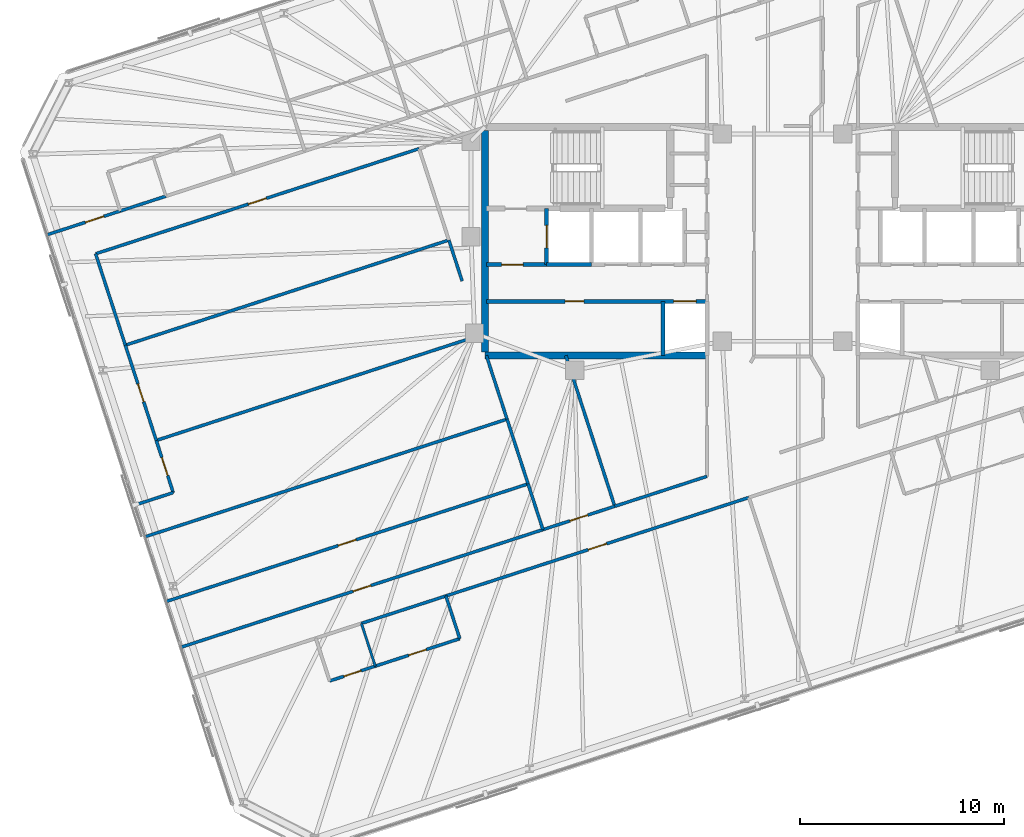
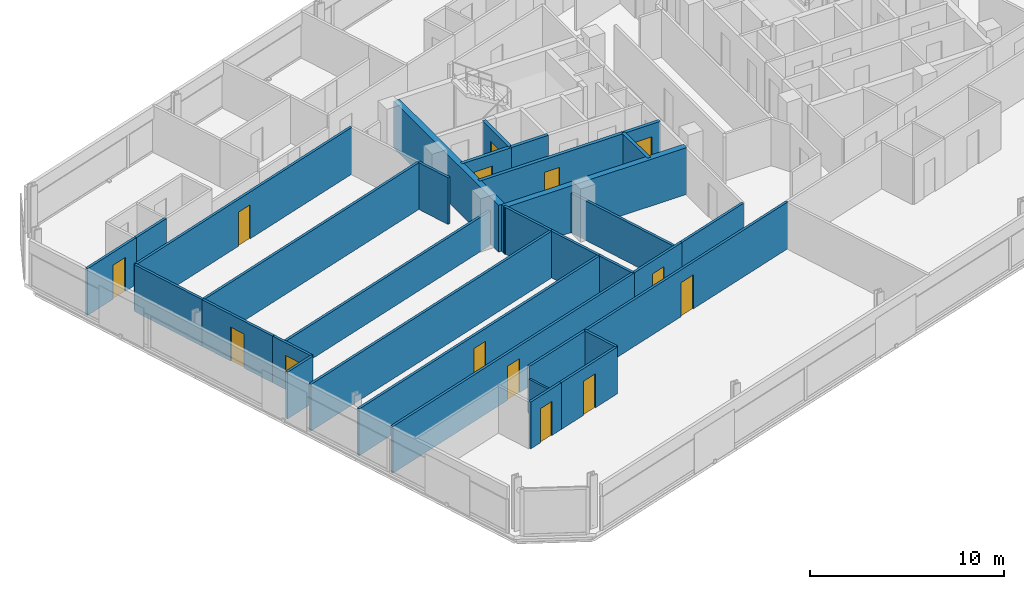
# One storey, part 13 of 19: 32 walls, 14 doors, 14 openings.
"""IFC4 building model written with IfcOpenShell, lengths in metres."""

from ifc_helpers import new_model, si_unit, direction, frame, frame_2d, origin, place, context, subcontext, project, spatial, rectangle, extrude, material, layer, layer_set, type_object, element, fill, save


model = new_model("IFC4")

# Units and contexts
model_context = context("Model", 3, precision=1e-05, world=origin(), true_north=direction((0.0, 1.0)))
body_context = subcontext(model_context, "Body", "Model", "MODEL_VIEW")
ifc_project = project(units=[si_unit("LENGTHUNIT", "METRE"), si_unit("AREAUNIT", "SQUARE_METRE"), si_unit("VOLUMEUNIT", "CUBIC_METRE"), si_unit("PLANEANGLEUNIT", "RADIAN"), si_unit("MASSUNIT", "GRAM", prefix="KILO")], contexts=[model_context])

# Site, building, storey
site_placement = place(None, origin())
site = spatial("IfcSite", under=ifc_project, at=site_placement, CompositionType="ELEMENT")
building_placement = place(site_placement, origin())
building = spatial("IfcBuilding", under=site, at=building_placement, Name="Menara Jurai Vektor", CompositionType="ELEMENT")
storey_placement = place(building_placement, frame((0.0, 0.0, 251.10009765625)))
storey = spatial("IfcBuildingStorey", under=building, at=storey_placement, Name="L67", CompositionType="ELEMENT", Elevation=251.10009765625)

# Wall, opening, door
ifc_material_1 = material(Name="Concrete C40/50", Category="concrete")
ifc_layer_1 = layer(ifc_material_1, 0.25)
ifc_layer_set_1 = layer_set([ifc_layer_1], Name="Concrete C40/50")
wall_type_1 = type_object("IfcWallType", Name="INT-WALL-CORE-250", PredefinedType="STANDARD", material=ifc_layer_set_1)
wall_1_placement = place(storey_placement, frame((-11.550048828125, -1.14990234375, 0.0), z_axis=(0.0, 0.0, 1.0), x_axis=(0.0, 1.0, 0.0)))
wall_1 = element("IfcWall", 1, at=wall_1_placement, inside=storey, type_object=wall_type_1, Name="Interior Wall IW-250 L67", PredefinedType="STANDARD", context=body_context, shape_type="SweptSolid", body=[
    extrude(rectangle(XDim=2.75, YDim=0.199951171875, at=frame_2d((1.375, 0.0))), origin(), (0.0, 0.0, 1.0), 2.949951171875),
])
opening_1_placement = place(wall_1_placement, frame((0.824951171875, 0.0, 0.0)))
opening_1 = element("IfcOpeningElement", 2, at=opening_1_placement, cuts=wall_1, Name="Opening LD-L67-FL1", PredefinedType="OPENING", context=body_context, shape_type="SweptSolid", body=[
    extrude(rectangle(XDim=1.10009765625, YDim=2.14990234375, at=frame_2d((0.550048828125, 1.074951171875))), frame((0.0, 0.10986328125, 0.0), z_axis=(0.0, -1.0, 0.0), x_axis=(1.0, 0.0, 0.0)), (0.0, 0.0, 1.0), 0.219970703125),
])
ifc_material_2 = material(Name="Stainless Steel Sliding Lift Landing Door", Category="steel")
door_type_1 = type_object("IfcDoorType", Name="DR-LIFT-FIRE-1100", OperationType="NOTDEFINED", PredefinedType="DOOR", material=ifc_material_2)
door_1_placement = place(opening_1_placement, origin())
door_1 = element("IfcDoor", 3, at=door_1_placement, inside=storey, type_object=door_type_1, Name="Lift Landing Door FL1 L67", OperationType="SLIDING_TO_RIGHT", OverallHeight=2.14990234375, OverallWidth=1.10009765625, PredefinedType="DOOR", context=body_context, shape_type="SweptSolid", body=[
    extrude(rectangle(XDim=1.10009765625, YDim=2.14990234375, at=frame_2d((0.550048828125, 1.074951171875))), frame((0.0, 0.02490234375, 0.0), z_axis=(0.0, -1.0, 0.0), x_axis=(1.0, 0.0, 0.0)), (0.0, 0.0, 1.0), 0.050048828125),
])
fill(opening_1, door_1)

wall_2_placement = place(storey_placement, frame((-14.5, -1.14990234375, 0.0), z_axis=(0.0, 0.0, 1.0), x_axis=(1.0, 0.0, 0.0)))
wall_2 = element("IfcWall", 4, at=wall_2_placement, inside=storey, type_object=wall_type_1, Name="Interior Wall IW-250 L67", PredefinedType="STANDARD", context=body_context, shape_type="SweptSolid", body=[
    extrude(rectangle(XDim=2.949951171875, YDim=0.199951171875, at=frame_2d((1.47509765625, 0.0))), origin(), (0.0, 0.0, 1.0), 2.949951171875),
])
opening_2_placement = place(wall_2_placement, frame((0.75, 0.0, 0.0)))
opening_2 = element("IfcOpeningElement", 5, at=opening_2_placement, cuts=wall_2, Name="Opening D-L67-FFW", PredefinedType="OPENING", context=body_context, shape_type="SweptSolid", body=[
    extrude(rectangle(XDim=1.050048828125, YDim=2.179931640625, at=frame_2d((0.52490234375, 1.08984375))), frame((0.0, 0.10986328125, 0.0), z_axis=(0.0, -1.0, 0.0), x_axis=(1.0, 0.0, 0.0)), (0.0, 0.0, 1.0), 0.219970703125),
])
ifc_material_3 = material(Name="Fire-Rated Timber Door", Category="wood")
door_type_2 = type_object("IfcDoorType", Name="DR-LOBBY-1050", OperationType="NOTDEFINED", PredefinedType="DOOR", material=ifc_material_3)
door_2_placement = place(opening_2_placement, origin())
door_2 = element("IfcDoor", 6, at=door_2_placement, inside=storey, type_object=door_type_2, Name="Fire Lift Lobby Door W L67", OperationType="SINGLE_SWING_RIGHT", OverallHeight=2.179931640625, OverallWidth=1.050048828125, PredefinedType="DOOR", context=body_context, shape_type="SweptSolid", body=[
    extrude(rectangle(XDim=1.050048828125, YDim=2.179931640625, at=frame_2d((0.52490234375, 1.08984375))), frame((0.0, 0.02490234375, 0.0), z_axis=(0.0, -1.0, 0.0), x_axis=(1.0, 0.0, 0.0)), (0.0, 0.0, 1.0), 0.050048828125),
])
fill(opening_2, door_2)

# Wall
wall_3_placement = place(storey_placement, frame((-11.550048828125, -1.14990234375, 0.0), z_axis=(0.0, 0.0, 1.0), x_axis=(1.0, 0.0, 0.0)))
element("IfcWall", 7, at=wall_3_placement, inside=storey, type_object=wall_type_1, Name="Interior Wall IW-250 L67", PredefinedType="STANDARD", context=body_context, shape_type="SweptSolid", body=[
    extrude(rectangle(XDim=2.199951171875, YDim=0.199951171875, at=frame_2d((1.10009765625, 0.0))), origin(), (0.0, 0.0, 1.0), 2.949951171875),
])

# Wall, opening, door
ifc_material_4 = material(Name="Gypsum Fireboard Partition", Category="gypsum")
ifc_layer_2 = layer(ifc_material_4, 0.14990234375)
ifc_layer_set_2 = layer_set([ifc_layer_2], Name="Gypsum Fireboard Partition")
wall_type_2 = type_object("IfcWallType", Name="INT-WALL-CORR-150", PredefinedType="PARTITIONING", material=ifc_layer_set_2)
wall_4_placement = place(storey_placement, frame((-36.01220703125, 0.314208984375, 0.0), z_axis=(0.0, 0.0, 1.0), x_axis=(0.951071182868, 0.308971851659, 0.0)))
wall_4 = element("IfcWall", 8, at=wall_4_placement, inside=storey, type_object=wall_type_2, Name="Interior Wall IW-150 L67", PredefinedType="PARTITIONING", context=body_context, shape_type="SweptSolid", body=[
    extrude(rectangle(XDim=3.77001953125, YDim=0.14990234375, at=frame_2d((1.885009765625, 0.0))), origin(), (0.0, 0.0, 1.0), 2.949951171875),
])
opening_3_placement = place(wall_4_placement, frame((1.9755859375, 0.0, 0.0)))
opening_3 = element("IfcOpeningElement", 9, at=opening_3_placement, cuts=wall_4, Name="Opening D67-10", PredefinedType="OPENING", context=body_context, shape_type="SweptSolid", body=[
    extrude(rectangle(XDim=0.949951171875, YDim=2.14990234375, at=frame_2d((0.47509765625, 1.074951171875))), frame((0.0, 0.0849609375, 0.0), z_axis=(0.0, -1.0, 0.0), x_axis=(1.0, 0.0, 0.0)), (0.0, 0.0, 1.0), 0.169921875),
])
ifc_material_5 = material(Name="Solid Core Timber Fire Door", Category="wood")
door_type_3 = type_object("IfcDoorType", Name="DR-ENTRY-950", OperationType="NOTDEFINED", PredefinedType="DOOR", material=ifc_material_5)
door_3_placement = place(opening_3_placement, origin())
door_3 = element("IfcDoor", 10, at=door_3_placement, inside=storey, type_object=door_type_3, Name="Interior Door D67-10", OperationType="SINGLE_SWING_RIGHT", OverallHeight=2.14990234375, OverallWidth=0.949951171875, PredefinedType="DOOR", context=body_context, shape_type="SweptSolid", body=[
    extrude(rectangle(XDim=0.949951171875, YDim=2.14990234375, at=frame_2d((0.47509765625, 1.074951171875))), frame((0.0, 0.02490234375, 0.0), z_axis=(0.0, -1.0, 0.0), x_axis=(1.0, 0.0, 0.0)), (0.0, 0.0, 1.0), 0.050048828125),
])
fill(opening_3, door_3)

# Wall
wall_5_placement = place(storey_placement, frame((-32.4267578125, 1.47900390625, 0.0), z_axis=(0.0, 0.0, 1.0), x_axis=(0.951045519245, 0.309050837767, 0.0)))
element("IfcWall", 11, at=wall_5_placement, inside=storey, type_object=wall_type_2, Name="Interior Wall IW-150 L67", PredefinedType="PARTITIONING", context=body_context, shape_type="SweptSolid", body=[
    extrude(rectangle(XDim=2.35009765625, YDim=0.14990234375, at=frame_2d((1.175048828125, 0.0))), origin(), (0.0, 0.0, 1.0), 2.949951171875),
])

# Wall, opening, door
wall_6_placement = place(storey_placement, frame((-16.481689453125, -17.3701171875, 0.0), z_axis=(0.0, 0.0, 1.0), x_axis=(0.9510563751, 0.309017428929, 0.0)))
wall_6 = element("IfcWall", 12, at=wall_6_placement, inside=storey, type_object=wall_type_2, Name="Interior Wall IW-150 L67", PredefinedType="PARTITIONING", context=body_context, shape_type="SweptSolid", body=[
    extrude(rectangle(XDim=15.60205078125, YDim=0.14990234375, at=frame_2d((7.801025390625, 0.0))), origin(), (0.0, 0.0, 1.0), 2.949951171875),
])
opening_4_placement = place(wall_6_placement, frame((7.325927734375, 0.0, 0.0)))
opening_4 = element("IfcOpeningElement", 13, at=opening_4_placement, cuts=wall_6, Name="Opening D67-19", PredefinedType="OPENING", context=body_context, shape_type="SweptSolid", body=[
    extrude(rectangle(XDim=0.949951171875, YDim=2.14990234375, at=frame_2d((0.47509765625, 1.074951171875))), frame((0.0, 0.0849609375, 0.0), z_axis=(0.0, -1.0, 0.0), x_axis=(1.0, 0.0, 0.0)), (0.0, 0.0, 1.0), 0.169921875),
])
door_4_placement = place(opening_4_placement, origin())
door_4 = element("IfcDoor", 14, at=door_4_placement, inside=storey, type_object=door_type_3, Name="Interior Door D67-19", OperationType="SINGLE_SWING_LEFT", OverallHeight=2.14990234375, OverallWidth=0.949951171875, PredefinedType="DOOR", context=body_context, shape_type="SweptSolid", body=[
    extrude(rectangle(XDim=0.949951171875, YDim=2.14990234375, at=frame_2d((0.47509765625, 1.074951171875))), frame((0.0, 0.02490234375, 0.0), z_axis=(0.0, -1.0, 0.0), x_axis=(1.0, 0.0, 0.0)), (0.0, 0.0, 1.0), 0.050048828125),
])
fill(opening_4, door_4)

# Wall
wall_7_placement = place(storey_placement, frame((-20.61865234375, -18.71435546875, 0.0), z_axis=(0.0, 0.0, 1.0), x_axis=(0.951052627573, 0.309028962374, 0.0)))
element("IfcWall", 15, at=wall_7_placement, inside=storey, type_object=wall_type_2, Name="Interior Wall IW-150 L67", PredefinedType="PARTITIONING", context=body_context, shape_type="SweptSolid", body=[
    extrude(rectangle(XDim=4.349853515625, YDim=0.14990234375, at=frame_2d((2.1748046875, 0.0))), origin(), (0.0, 0.0, 1.0), 2.949951171875),
])

# Wall, opening, door
wall_8_placement = place(storey_placement, frame((-29.450439453125, -19.880615234375, 0.0), z_axis=(0.0, 0.0, 1.0), x_axis=(0.95105650271, 0.309017036186, 0.0)))
wall_8 = element("IfcWall", 16, at=wall_8_placement, inside=storey, type_object=wall_type_2, Name="Interior Wall IW-150 L67", PredefinedType="PARTITIONING", context=body_context, shape_type="SweptSolid", body=[
    extrude(rectangle(XDim=18.6318359375, YDim=0.14990234375, at=frame_2d((9.31591796875, 0.0))), origin(), (0.0, 0.0, 1.0), 2.949951171875),
])
opening_5_placement = place(wall_8_placement, frame((8.85595703125, 0.0, 0.0)))
opening_5 = element("IfcOpeningElement", 17, at=opening_5_placement, cuts=wall_8, Name="Opening D67-25", PredefinedType="OPENING", context=body_context, shape_type="SweptSolid", body=[
    extrude(rectangle(XDim=0.919921875, YDim=2.14990234375, at=frame_2d((0.4599609375, 1.074951171875))), frame((0.0, 0.0849609375, 0.0), z_axis=(0.0, -1.0, 0.0), x_axis=(1.0, 0.0, 0.0)), (0.0, 0.0, 1.0), 0.169921875),
])
door_5_placement = place(opening_5_placement, origin())
door_5 = element("IfcDoor", 18, at=door_5_placement, inside=storey, type_object=door_type_3, Name="Interior Door D67-25", OperationType="SINGLE_SWING_LEFT", OverallHeight=2.14990234375, OverallWidth=0.919921875, PredefinedType="DOOR", context=body_context, shape_type="SweptSolid", body=[
    extrude(rectangle(XDim=0.919921875, YDim=2.14990234375, at=frame_2d((0.4599609375, 1.074951171875))), frame((0.0, 0.02490234375, 0.0), z_axis=(0.0, -1.0, 0.0), x_axis=(1.0, 0.0, 0.0)), (0.0, 0.0, 1.0), 0.050048828125),
])
fill(opening_5, door_5)

# Wall
wall_9_placement = place(storey_placement, frame((-31.7119140625, -12.9208984375, 0.0), z_axis=(0.0, 0.0, 1.0), x_axis=(0.951054051148, 0.309024581215, 0.0)))
element("IfcWall", 19, at=wall_9_placement, inside=storey, type_object=wall_type_2, Name="Interior Wall IW-150 L67", PredefinedType="PARTITIONING", context=body_context, shape_type="SweptSolid", body=[
    extrude(rectangle(XDim=1.97509765625, YDim=0.14990234375, at=frame_2d((0.987548828125, 0.0))), origin(), (0.0, 0.0, 1.0), 2.949951171875),
])

# Wall, opening, door
wall_10_placement = place(storey_placement, frame((-29.83349609375, -12.310546875, 0.0), z_axis=(0.0, 0.0, 1.0), x_axis=(-0.309044953986, 0.951047431213, 0.0)))
wall_10 = element("IfcWall", 20, at=wall_10_placement, inside=storey, type_object=wall_type_2, Name="Interior Wall IW-150 L67", PredefinedType="PARTITIONING", context=body_context, shape_type="SweptSolid", body=[
    extrude(rectangle(XDim=2.68505859375, YDim=0.14990234375, at=frame_2d((1.342529296875, 0.0))), origin(), (0.0, 0.0, 1.0), 2.949951171875),
])
opening_6_placement = place(wall_10_placement, frame((0.882568359375, 0.0, 0.0)))
opening_6 = element("IfcOpeningElement", 21, at=opening_6_placement, cuts=wall_10, Name="Opening D67-27", PredefinedType="OPENING", context=body_context, shape_type="SweptSolid", body=[
    extrude(rectangle(XDim=0.919921875, YDim=2.14990234375, at=frame_2d((0.4599609375, 1.074951171875))), frame((0.0, 0.0849609375, 0.0), z_axis=(0.0, -1.0, 0.0), x_axis=(1.0, 0.0, 0.0)), (0.0, 0.0, 1.0), 0.169921875),
])
door_6_placement = place(opening_6_placement, origin())
door_6 = element("IfcDoor", 22, at=door_6_placement, inside=storey, type_object=door_type_3, Name="Interior Door D67-27", OperationType="SINGLE_SWING_LEFT", OverallHeight=2.14990234375, OverallWidth=0.919921875, PredefinedType="DOOR", context=body_context, shape_type="SweptSolid", body=[
    extrude(rectangle(XDim=0.919921875, YDim=2.14990234375, at=frame_2d((0.4599609375, 1.074951171875))), frame((0.0, 0.02490234375, 0.0), z_axis=(0.0, -1.0, 0.0), x_axis=(1.0, 0.0, 0.0)), (0.0, 0.0, 1.0), 0.050048828125),
])
fill(opening_6, door_6)

wall_11_placement = place(storey_placement, frame((-30.663330078125, -9.7568359375, 0.0), z_axis=(0.0, 0.0, 1.0), x_axis=(-0.309019653166, 0.951055652397, 0.0)))
wall_11 = element("IfcWall", 23, at=wall_11_placement, inside=storey, type_object=wall_type_2, Name="Interior Wall IW-150 L67", PredefinedType="PARTITIONING", context=body_context, shape_type="SweptSolid", body=[
    extrude(rectangle(XDim=4.90380859375, YDim=0.14990234375, at=frame_2d((2.451904296875, 0.0))), origin(), (0.0, 0.0, 1.0), 2.949951171875),
])
opening_7_placement = place(wall_11_placement, frame((1.991943359375, 0.0, 0.0)))
opening_7 = element("IfcOpeningElement", 24, at=opening_7_placement, cuts=wall_11, Name="Opening D67-28", PredefinedType="OPENING", context=body_context, shape_type="SweptSolid", body=[
    extrude(rectangle(XDim=0.919921875, YDim=2.14990234375, at=frame_2d((0.4599609375, 1.074951171875))), frame((0.0, 0.0849609375, 0.0), z_axis=(0.0, -1.0, 0.0), x_axis=(1.0, 0.0, 0.0)), (0.0, 0.0, 1.0), 0.169921875),
])
door_7_placement = place(opening_7_placement, origin())
door_7 = element("IfcDoor", 25, at=door_7_placement, inside=storey, type_object=door_type_3, Name="Interior Door D67-28", OperationType="SINGLE_SWING_RIGHT", OverallHeight=2.14990234375, OverallWidth=0.919921875, PredefinedType="DOOR", context=body_context, shape_type="SweptSolid", body=[
    extrude(rectangle(XDim=0.919921875, YDim=2.14990234375, at=frame_2d((0.4599609375, 1.074951171875))), frame((0.0, 0.02490234375, 0.0), z_axis=(0.0, -1.0, 0.0), x_axis=(1.0, 0.0, 0.0)), (0.0, 0.0, 1.0), 0.050048828125),
])
fill(opening_7, door_7)

# Wall
wall_12_placement = place(storey_placement, frame((-32.1787109375, -5.093017578125, 0.0), z_axis=(0.0, 0.0, 1.0), x_axis=(-0.309014532869, 0.951057316083, 0.0)))
element("IfcWall", 26, at=wall_12_placement, inside=storey, type_object=wall_type_2, Name="Interior Wall IW-150 L67", PredefinedType="PARTITIONING", context=body_context, shape_type="SweptSolid", body=[
    extrude(rectangle(XDim=4.707275390625, YDim=0.14990234375, at=frame_2d((2.353515625, 0.0))), origin(), (0.0, 0.0, 1.0), 2.949951171875),
])

# Wall, opening, door
wall_13_placement = place(storey_placement, frame((-33.63330078125, -0.6162109375, 0.0), z_axis=(0.0, 0.0, 1.0), x_axis=(0.951058192995, 0.309011833974, 0.0)))
wall_13 = element("IfcWall", 27, at=wall_13_placement, inside=storey, type_object=wall_type_2, Name="Interior Wall IW-150 L67", PredefinedType="PARTITIONING", context=body_context, shape_type="SweptSolid", body=[
    extrude(rectangle(XDim=16.656982421875, YDim=0.14990234375, at=frame_2d((8.32861328125, 0.0))), origin(), (0.0, 0.0, 1.0), 2.949951171875),
])
opening_8_placement = place(wall_13_placement, frame((7.868408203125, 0.0, 0.0)))
opening_8 = element("IfcOpeningElement", 28, at=opening_8_placement, cuts=wall_13, Name="Opening D67-29", PredefinedType="OPENING", context=body_context, shape_type="SweptSolid", body=[
    extrude(rectangle(XDim=0.919921875, YDim=2.14990234375, at=frame_2d((0.4599609375, 1.074951171875))), frame((0.0, 0.0849609375, 0.0), z_axis=(0.0, -1.0, 0.0), x_axis=(1.0, 0.0, 0.0)), (0.0, 0.0, 1.0), 0.169921875),
])
door_8_placement = place(opening_8_placement, origin())
door_8 = element("IfcDoor", 29, at=door_8_placement, inside=storey, type_object=door_type_3, Name="Interior Door D67-29", OperationType="SINGLE_SWING_LEFT", OverallHeight=2.14990234375, OverallWidth=0.919921875, PredefinedType="DOOR", context=body_context, shape_type="SweptSolid", body=[
    extrude(rectangle(XDim=0.919921875, YDim=2.14990234375, at=frame_2d((0.4599609375, 1.074951171875))), frame((0.0, 0.02490234375, 0.0), z_axis=(0.0, -1.0, 0.0), x_axis=(1.0, 0.0, 0.0)), (0.0, 0.0, 1.0), 0.050048828125),
])
fill(opening_8, door_8)

wall_14_placement = place(storey_placement, frame((-11.73046875, -14.123046875, 0.0), z_axis=(0.0, 0.0, 1.0), x_axis=(0.951052502763, 0.309029346483, 0.0)))
wall_14 = element("IfcWall", 30, at=wall_14_placement, inside=storey, type_object=wall_type_2, Name="Interior Wall IW-150 L67", PredefinedType="PARTITIONING", context=body_context, shape_type="SweptSolid", body=[
    extrude(rectangle(XDim=3.697998046875, YDim=0.14990234375, at=frame_2d((1.84912109375, 0.0))), origin(), (0.0, 0.0, 1.0), 2.949951171875),
])
opening_9_placement = place(wall_14_placement, frame((1.388916015625, 0.0, 0.0)))
opening_9 = element("IfcOpeningElement", 31, at=opening_9_placement, cuts=wall_14, Name="Opening D67-36", PredefinedType="OPENING", context=body_context, shape_type="SweptSolid", body=[
    extrude(rectangle(XDim=0.919921875, YDim=2.14990234375, at=frame_2d((0.4599609375, 1.074951171875))), frame((0.0, 0.0849609375, 0.0), z_axis=(0.0, -1.0, 0.0), x_axis=(1.0, 0.0, 0.0)), (0.0, 0.0, 1.0), 0.169921875),
])
door_9_placement = place(opening_9_placement, origin())
door_9 = element("IfcDoor", 32, at=door_9_placement, inside=storey, type_object=door_type_3, Name="Interior Door D67-36", OperationType="SINGLE_SWING_RIGHT", OverallHeight=2.14990234375, OverallWidth=0.919921875, PredefinedType="DOOR", context=body_context, shape_type="SweptSolid", body=[
    extrude(rectangle(XDim=0.919921875, YDim=2.14990234375, at=frame_2d((0.4599609375, 1.074951171875))), frame((0.0, 0.02490234375, 0.0), z_axis=(0.0, -1.0, 0.0), x_axis=(1.0, 0.0, 0.0)), (0.0, 0.0, 1.0), 0.050048828125),
])
fill(opening_9, door_9)

# Wall
wall_15_placement = place(storey_placement, frame((-8.21337890625, -12.980224609375, 0.0), z_axis=(0.0, 0.0, 1.0), x_axis=(0.951058260096, 0.309011627456, 0.0)))
element("IfcWall", 33, at=wall_15_placement, inside=storey, type_object=wall_type_2, Name="Interior Wall IW-150 L67", PredefinedType="PARTITIONING", context=body_context, shape_type="SweptSolid", body=[
    extrude(rectangle(XDim=4.745849609375, YDim=0.14990234375, at=frame_2d((2.373046875, 0.0))), origin(), (0.0, 0.0, 1.0), 2.949951171875),
])

# Wall, opening, door
wall_16_placement = place(storey_placement, frame((-22.173828125, -21.532958984375, 0.0), z_axis=(0.0, 0.0, 1.0), x_axis=(0.951045519245, 0.309050837767, 0.0)))
wall_16 = element("IfcWall", 34, at=wall_16_placement, inside=storey, type_object=wall_type_2, Name="Interior Wall IW-150 L67", PredefinedType="PARTITIONING", context=body_context, shape_type="SweptSolid", body=[
    extrude(rectangle(XDim=2.35009765625, YDim=0.14990234375, at=frame_2d((1.175048828125, 0.0))), origin(), (0.0, 0.0, 1.0), 2.949951171875),
])
opening_10_placement = place(wall_16_placement, frame((0.735107421875, 0.0, 0.0)))
opening_10 = element("IfcOpeningElement", 35, at=opening_10_placement, cuts=wall_16, Name="Opening D67-20", PredefinedType="OPENING", context=body_context, shape_type="SweptSolid", body=[
    extrude(rectangle(XDim=0.8798828125, YDim=2.14990234375, at=frame_2d((0.43994140625, 1.074951171875))), frame((0.0, 0.0849609375, 0.0), z_axis=(0.0, -1.0, 0.0), x_axis=(1.0, 0.0, 0.0)), (0.0, 0.0, 1.0), 0.169921875),
])
ifc_material_6 = material(Name="Moisture-Resistant Timber Door", Category="wood")
door_type_4 = type_object("IfcDoorType", Name="DR-BATH-880", OperationType="NOTDEFINED", PredefinedType="DOOR", material=ifc_material_6)
door_10_placement = place(opening_10_placement, origin())
door_10 = element("IfcDoor", 36, at=door_10_placement, inside=storey, type_object=door_type_4, Name="Interior Door D67-20", OperationType="SINGLE_SWING_RIGHT", OverallHeight=2.14990234375, OverallWidth=0.8798828125, PredefinedType="DOOR", context=body_context, shape_type="SweptSolid", body=[
    extrude(rectangle(XDim=0.8798828125, YDim=2.14990234375, at=frame_2d((0.43994140625, 1.074951171875))), frame((0.0, 0.02490234375, 0.0), z_axis=(0.0, -1.0, 0.0), x_axis=(1.0, 0.0, 0.0)), (0.0, 0.0, 1.0), 0.050048828125),
])
fill(opening_10, door_10)

wall_17_placement = place(storey_placement, frame((-19.938720703125, -20.806640625, 0.0), z_axis=(0.0, 0.0, 1.0), x_axis=(0.951052627573, 0.309028962374, 0.0)))
wall_17 = element("IfcWall", 37, at=wall_17_placement, inside=storey, type_object=wall_type_2, Name="Interior Wall IW-150 L67", PredefinedType="PARTITIONING", context=body_context, shape_type="SweptSolid", body=[
    extrude(rectangle(XDim=4.349853515625, YDim=0.14990234375, at=frame_2d((2.1748046875, 0.0))), origin(), (0.0, 0.0, 1.0), 2.949951171875),
])
opening_11_placement = place(wall_17_placement, frame((1.72509765625, 0.0, 0.0)))
opening_11 = element("IfcOpeningElement", 38, at=opening_11_placement, cuts=wall_17, Name="Opening D67-21", PredefinedType="OPENING", context=body_context, shape_type="SweptSolid", body=[
    extrude(rectangle(XDim=0.89990234375, YDim=2.14990234375, at=frame_2d((0.449951171875, 1.074951171875))), frame((0.0, 0.0849609375, 0.0), z_axis=(0.0, -1.0, 0.0), x_axis=(1.0, 0.0, 0.0)), (0.0, 0.0, 1.0), 0.169921875),
])
ifc_material_7 = material(Name="Acoustic Timber Interior Door", Category="wood")
door_type_5 = type_object("IfcDoorType", Name="DR-ROOM-900", OperationType="NOTDEFINED", PredefinedType="DOOR", material=ifc_material_7)
door_11_placement = place(opening_11_placement, origin())
door_11 = element("IfcDoor", 39, at=door_11_placement, inside=storey, type_object=door_type_5, Name="Interior Door D67-21", OperationType="SINGLE_SWING_LEFT", OverallHeight=2.14990234375, OverallWidth=0.89990234375, PredefinedType="DOOR", context=body_context, shape_type="SweptSolid", body=[
    extrude(rectangle(XDim=0.89990234375, YDim=2.14990234375, at=frame_2d((0.449951171875, 1.074951171875))), frame((0.0, 0.02490234375, 0.0), z_axis=(0.0, -1.0, 0.0), x_axis=(1.0, 0.0, 0.0)), (0.0, 0.0, 1.0), 0.050048828125),
])
fill(opening_11, door_11)

# Wall
wall_18_placement = place(storey_placement, frame((-15.8017578125, -19.46240234375, 0.0), z_axis=(0.0, 0.0, 1.0), x_axis=(-0.309060979314, 0.951042223598, 0.0)))
element("IfcWall", 40, at=wall_18_placement, inside=storey, type_object=wall_type_2, Name="Interior Wall IW-150 L67", PredefinedType="PARTITIONING", context=body_context, shape_type="SweptSolid", body=[
    extrude(rectangle(XDim=2.199951171875, YDim=0.14990234375, at=frame_2d((1.10009765625, 0.0))), origin(), (0.0, 0.0, 1.0), 2.949951171875),
])

# Wall, opening, door
wall_19_placement = place(storey_placement, frame((-30.177978515625, -17.641845703125, 0.0), z_axis=(0.0, 0.0, 1.0), x_axis=(0.95105650271, 0.309017036186, 0.0)))
wall_19 = element("IfcWall", 41, at=wall_19_placement, inside=storey, type_object=wall_type_2, Name="Interior Wall IW-150 L67", PredefinedType="PARTITIONING", context=body_context, shape_type="SweptSolid", body=[
    extrude(rectangle(XDim=18.6318359375, YDim=0.14990234375, at=frame_2d((9.31591796875, 0.0))), origin(), (0.0, 0.0, 1.0), 2.949951171875),
])
opening_12_placement = place(wall_19_placement, frame((8.85595703125, 0.0, 0.0)))
opening_12 = element("IfcOpeningElement", 42, at=opening_12_placement, cuts=wall_19, Name="Opening D67-26", PredefinedType="OPENING", context=body_context, shape_type="SweptSolid", body=[
    extrude(rectangle(XDim=0.919921875, YDim=2.14990234375, at=frame_2d((0.4599609375, 1.074951171875))), frame((0.0, 0.0849609375, 0.0), z_axis=(0.0, -1.0, 0.0), x_axis=(1.0, 0.0, 0.0)), (0.0, 0.0, 1.0), 0.169921875),
])
door_12_placement = place(opening_12_placement, origin())
door_12 = element("IfcDoor", 43, at=door_12_placement, inside=storey, type_object=door_type_3, Name="Interior Door D67-26", OperationType="SINGLE_SWING_RIGHT", OverallHeight=2.14990234375, OverallWidth=0.919921875, PredefinedType="DOOR", context=body_context, shape_type="SweptSolid", body=[
    extrude(rectangle(XDim=0.919921875, YDim=2.14990234375, at=frame_2d((0.4599609375, 1.074951171875))), frame((0.0, 0.02490234375, 0.0), z_axis=(0.0, -1.0, 0.0), x_axis=(1.0, 0.0, 0.0)), (0.0, 0.0, 1.0), 0.050048828125),
])
fill(opening_12, door_12)

# Walls
wall_20_placement = place(storey_placement, frame((-11.73046875, -14.123046875, 0.0), z_axis=(0.0, 0.0, 1.0), x_axis=(-0.309062621189, 0.951041690035, 0.0)))
element("IfcWall", 44, at=wall_20_placement, inside=storey, type_object=wall_type_2, Name="Interior Wall IW-150 L67", PredefinedType="PARTITIONING", context=body_context, shape_type="SweptSolid", body=[
    extrude(rectangle(XDim=2.35400390625, YDim=0.14990234375, at=frame_2d((1.177001953125, 0.0))), origin(), (0.0, 0.0, 1.0), 2.949951171875),
])
wall_21_placement = place(storey_placement, frame((-31.208251953125, -14.470947265625, 0.0), z_axis=(0.0, 0.0, 1.0), x_axis=(0.951057753948, 0.309013185244, 0.0)))
element("IfcWall", 45, at=wall_21_placement, inside=storey, type_object=wall_type_2, Name="Interior Wall IW-150 L67", PredefinedType="PARTITIONING", context=body_context, shape_type="SweptSolid", body=[
    extrude(rectangle(XDim=18.632080078125, YDim=0.14990234375, at=frame_2d((9.31591796875, 0.0))), origin(), (0.0, 0.0, 1.0), 2.949951171875),
])
wall_22_placement = place(storey_placement, frame((-12.4580078125, -11.88427734375, 0.0), z_axis=(0.0, 0.0, 1.0), x_axis=(-0.308946982245, 0.951079261766, 0.0)))
element("IfcWall", 46, at=wall_22_placement, inside=storey, type_object=wall_type_2, Name="Interior Wall IW-150 L67", PredefinedType="PARTITIONING", context=body_context, shape_type="SweptSolid", body=[
    extrude(rectangle(XDim=3.333984375, YDim=0.14990234375, at=frame_2d((1.6669921875, 0.0))), origin(), (0.0, 0.0, 1.0), 2.949951171875),
])
wall_23_placement = place(storey_placement, frame((-13.488037109375, -8.71337890625, 0.0), z_axis=(0.0, 0.0, 1.0), x_axis=(-0.309082700143, 0.951035164687, 0.0)))
element("IfcWall", 47, at=wall_23_placement, inside=storey, type_object=wall_type_2, Name="Interior Wall IW-150 L67", PredefinedType="PARTITIONING", context=body_context, shape_type="SweptSolid", body=[
    extrude(rectangle(XDim=3.274169921875, YDim=0.14990234375, at=frame_2d((1.63720703125, 0.0))), origin(), (0.0, 0.0, 1.0), 2.949951171875),
])
wall_24_placement = place(storey_placement, frame((-32.1787109375, -5.093017578125, 0.0), z_axis=(0.0, 0.0, 1.0), x_axis=(0.951053885426, 0.309025091239, 0.0)))
element("IfcWall", 48, at=wall_24_placement, inside=storey, type_object=wall_type_2, Name="Interior Wall IW-150 L67", PredefinedType="PARTITIONING", context=body_context, shape_type="SweptSolid", body=[
    extrude(rectangle(XDim=16.656982421875, YDim=0.14990234375, at=frame_2d((8.32861328125, 0.0))), origin(), (0.0, 0.0, 1.0), 2.949951171875),
])
wall_25_placement = place(storey_placement, frame((-15.68505859375, -1.952392578125, 0.0), z_axis=(0.0, 0.0, 1.0), x_axis=(-0.308929092959, 0.951085072706, 0.0)))
element("IfcWall", 49, at=wall_25_placement, inside=storey, type_object=wall_type_2, Name="Interior Wall IW-150 L67", PredefinedType="PARTITIONING", context=body_context, shape_type="SweptSolid", body=[
    extrude(rectangle(XDim=2.110107421875, YDim=0.14990234375, at=frame_2d((1.05517578125, 0.0))), origin(), (0.0, 0.0, 1.0), 2.949951171875),
])
ifc_layer_3 = layer(ifc_material_4, 0.14990234375)
ifc_layer_set_3 = layer_set([ifc_layer_3], Name="Gypsum Fireboard Partition")
wall_type_3 = type_object("IfcWallType", Name="INT-WALL-CORR-150-H1", PredefinedType="PARTITIONING", material=ifc_layer_set_3)
wall_26_placement = place(storey_placement, frame((-8.21337890625, -12.980224609375, 0.0), z_axis=(0.0, 0.0, 1.0), x_axis=(-0.309017065592, 0.951056493155, 0.0)))
element("IfcWall", 50, at=wall_26_placement, inside=storey, type_object=wall_type_3, Name="Interior Wall IW-150 L67", PredefinedType="PARTITIONING", context=body_context, shape_type="SweptSolid", body=[
    extrude(rectangle(XDim=7.760009765625, YDim=0.14990234375, at=frame_2d((3.8798828125, 0.0))), origin(), (0.0, 0.0, 1.0), 2.5),
])
ifc_layer_4 = layer(ifc_material_4, 0.14990234375)
ifc_layer_set_4 = layer_set([ifc_layer_4], Name="Gypsum Fireboard Partition")
wall_type_4 = type_object("IfcWallType", Name="INT-WALL-CORR-150-H3", PredefinedType="PARTITIONING", material=ifc_layer_set_4)
wall_27_placement = place(storey_placement, frame((-30.663330078125, -9.7568359375, 0.0), z_axis=(0.0, 0.0, 1.0), x_axis=(0.951058192995, 0.309011833974, 0.0)))
element("IfcWall", 51, at=wall_27_placement, inside=storey, type_object=wall_type_4, Name="Interior Wall IW-150 L67", PredefinedType="PARTITIONING", context=body_context, shape_type="SweptSolid", body=[
    extrude(rectangle(XDim=16.656982421875, YDim=0.14990234375, at=frame_2d((8.32861328125, 0.0))), origin(), (0.0, 0.0, 1.0), 2.169921875),
])
ifc_material_8 = material(Name="Gypsum Acoustic Stud Partition", Category="gypsum")
ifc_layer_5 = layer(ifc_material_8, 0.1201171875)
ifc_layer_set_5 = layer_set([ifc_layer_5], Name="Gypsum Acoustic Stud Partition")
wall_type_5 = type_object("IfcWallType", Name="INT-WALL-PART-120-H3", PredefinedType="PARTITIONING", material=ifc_layer_set_5)
wall_28_placement = place(storey_placement, frame((-19.938720703125, -20.806640625, 0.0), z_axis=(0.0, 0.0, 1.0), x_axis=(-0.309060979314, 0.951042223598, 0.0)))
element("IfcWall", 52, at=wall_28_placement, inside=storey, type_object=wall_type_5, Name="Interior Wall IW-120 L67", PredefinedType="PARTITIONING", context=body_context, shape_type="SweptSolid", body=[
    extrude(rectangle(XDim=2.199951171875, YDim=0.1201171875, at=frame_2d((1.10009765625, 0.0))), origin(), (0.0, 0.0, 1.0), 2.169921875),
])

# Wall, openings, doors
ifc_layer_6 = layer(ifc_material_1, 0.199951171875)
ifc_layer_set_6 = layer_set([ifc_layer_6], Name="Concrete C40/50")
wall_type_6 = type_object("IfcWallType", Name="INT-WALL-SHAFT-200", PredefinedType="STANDARD", material=ifc_layer_set_6)
wall_29_placement = place(storey_placement, frame((-14.5, -2.949951171875, 0.0), z_axis=(0.0, 0.0, 1.0), x_axis=(1.0, 0.0, 0.0)))
wall_29 = element("IfcWall", 53, at=wall_29_placement, inside=storey, type_object=wall_type_6, Name="Interior Wall IW-200 L67", PredefinedType="STANDARD", context=body_context, shape_type="SweptSolid", body=[
    extrude(rectangle(XDim=10.800048828125, YDim=0.199951171875, at=frame_2d((5.39990234375, 0.0))), origin(), (0.0, 0.0, 1.0), 2.949951171875),
])
opening_13_placement = place(wall_29_placement, frame((9.169921875, 0.0, 0.0)))
opening_13 = element("IfcOpeningElement", 54, at=opening_13_placement, cuts=wall_29, Name="Opening LD-L67-PH1", PredefinedType="OPENING", context=body_context, shape_type="SweptSolid", body=[
    extrude(rectangle(XDim=1.10009765625, YDim=2.14990234375, at=frame_2d((0.550048828125, 1.074951171875))), frame((0.0, 0.10986328125, 0.0), z_axis=(0.0, -1.0, 0.0), x_axis=(1.0, 0.0, 0.0)), (0.0, 0.0, 1.0), 0.219970703125),
])
opening_14_placement = place(wall_29_placement, frame((3.860107421875, 0.0, 0.0)))
opening_14 = element("IfcOpeningElement", 55, at=opening_14_placement, cuts=wall_29, Name="Opening D67-01", PredefinedType="OPENING", context=body_context, shape_type="SweptSolid", body=[
    extrude(rectangle(XDim=0.919921875, YDim=2.14990234375, at=frame_2d((0.4599609375, 1.074951171875))), frame((0.0, 0.10986328125, 0.0), z_axis=(0.0, -1.0, 0.0), x_axis=(1.0, 0.0, 0.0)), (0.0, 0.0, 1.0), 0.219970703125),
])
door_13_placement = place(opening_14_placement, origin())
door_13 = element("IfcDoor", 56, at=door_13_placement, inside=storey, type_object=door_type_3, Name="Interior Door D67-01", OperationType="SINGLE_SWING_LEFT", OverallHeight=2.14990234375, OverallWidth=0.919921875, PredefinedType="DOOR", context=body_context, shape_type="SweptSolid", body=[
    extrude(rectangle(XDim=0.919921875, YDim=2.14990234375, at=frame_2d((0.4599609375, 1.074951171875))), frame((0.0, 0.02490234375, 0.0), z_axis=(0.0, -1.0, 0.0), x_axis=(1.0, 0.0, 0.0)), (0.0, 0.0, 1.0), 0.050048828125),
])
fill(opening_14, door_13)
ifc_material_9 = material(Name="Anodised Stainless Sliding Lift Landing Door", Category="steel")
door_type_6 = type_object("IfcDoorType", Name="DR-LIFT-PASS-1100", OperationType="NOTDEFINED", PredefinedType="DOOR", material=ifc_material_9)
door_14_placement = place(opening_13_placement, origin())
door_14 = element("IfcDoor", 57, at=door_14_placement, inside=storey, type_object=door_type_6, Name="Lift Landing Door PH1 L67", OperationType="SLIDING_TO_RIGHT", OverallHeight=2.14990234375, OverallWidth=1.10009765625, PredefinedType="DOOR", context=body_context, shape_type="SweptSolid", body=[
    extrude(rectangle(XDim=1.10009765625, YDim=2.14990234375, at=frame_2d((0.550048828125, 1.074951171875))), frame((0.0, 0.02490234375, 0.0), z_axis=(0.0, -1.0, 0.0), x_axis=(1.0, 0.0, 0.0)), (0.0, 0.0, 1.0), 0.050048828125),
])
fill(opening_13, door_14)

# Walls
wall_30_placement = place(storey_placement, frame((-5.860107421875, -5.60009765625, 0.0), z_axis=(0.0, 0.0, 1.0), x_axis=(0.0, 1.0, 0.0)))
element("IfcWall", 58, at=wall_30_placement, inside=storey, type_object=wall_type_6, Name="Interior Wall IW-200 L67", PredefinedType="STANDARD", context=body_context, shape_type="SweptSolid", body=[
    extrude(rectangle(XDim=2.650146484375, YDim=0.199951171875, at=frame_2d((1.3251953125, 0.0))), origin(), (0.0, 0.0, 1.0), 2.949951171875),
])
ifc_material_10 = material(Name="Concrete C50/60", Category="concrete")
ifc_layer_7 = layer(ifc_material_10, 0.35009765625)
ifc_layer_set_7 = layer_set([ifc_layer_7], Name="Concrete C50/60")
wall_type_7 = type_object("IfcWallType", Name="STR-WALL-CORE350", PredefinedType="SHEAR", material=ifc_layer_set_7)
wall_31_placement = place(storey_placement, frame((-14.56005859375, -5.60009765625, 0.0), z_axis=(0.0, 0.0, 1.0), x_axis=(1.0, 0.0, 0.0)))
element("IfcWall", 59, at=wall_31_placement, inside=storey, type_object=wall_type_7, Name="Core Shear Wall CW-W-S L67", PredefinedType="SHEAR", context=body_context, shape_type="SweptSolid", body=[
    extrude(rectangle(XDim=10.860107421875, YDim=0.35009765625, at=frame_2d((5.43017578125, 0.0))), origin(), (0.0, 0.0, 1.0), 2.949951171875),
])
wall_32_placement = place(storey_placement, frame((-14.56005859375, -5.425048828125, 0.0), z_axis=(0.0, 0.0, 1.0), x_axis=(0.0, 1.0, 0.0)))
element("IfcWall", 60, at=wall_32_placement, inside=storey, type_object=wall_type_7, Name="Core Shear Wall CW-W-W L67", PredefinedType="SHEAR", context=body_context, shape_type="SweptSolid", body=[
    extrude(rectangle(XDim=10.85009765625, YDim=0.35009765625, at=frame_2d((5.425048828125, 0.0))), origin(), (0.0, 0.0, 1.0), 2.949951171875),
])

save(model, "model.ifc")
